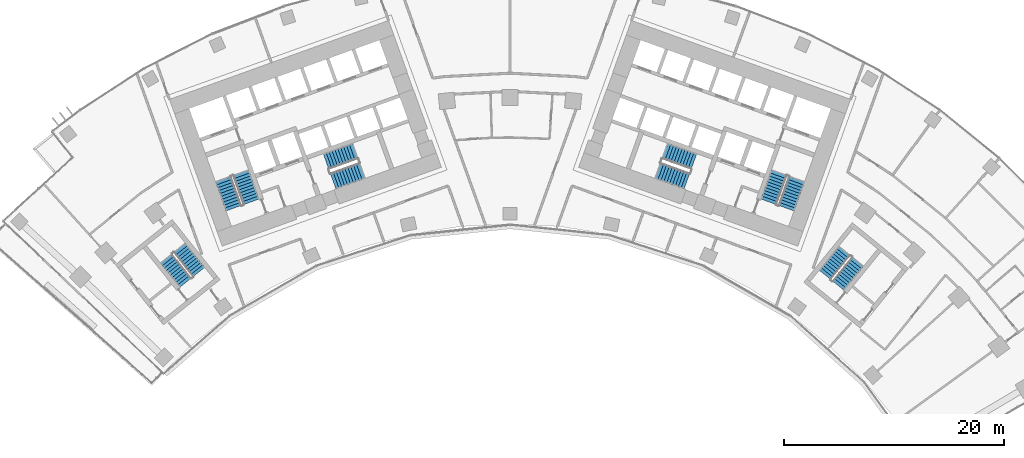
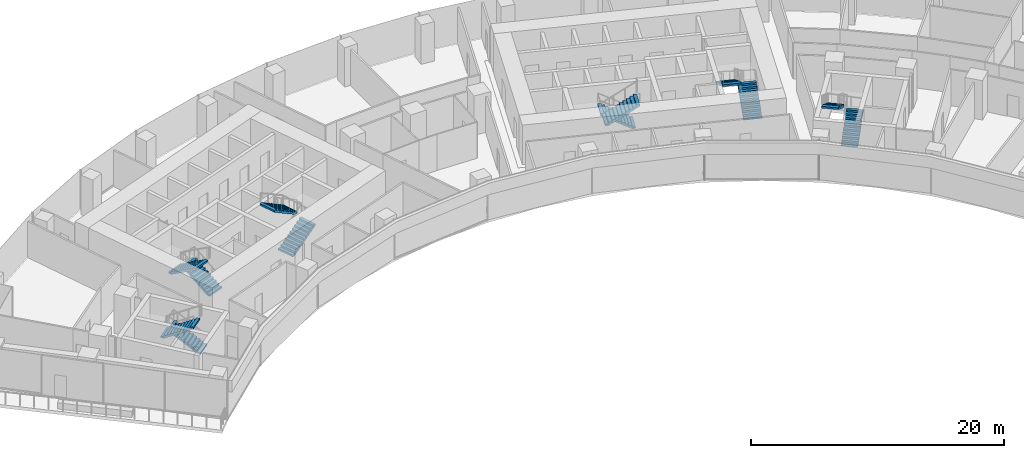
# One storey, part 18 of 20: 12 stair flights, 6 elements without a shape of their own.
"""IFC4 building model written with IfcOpenShell, lengths in metres."""

from ifc_helpers import new_model, si_unit, direction, frame, origin, place, context, subcontext, project, spatial, polyline, outline, extrude, material, type_object, element, aggregate, save


model = new_model("IFC4")

# Units and contexts
model_context = context("Model", 3, precision=1e-05, world=origin(), true_north=direction((0.0, 1.0)))
body_context = subcontext(model_context, "Body", "Model", "MODEL_VIEW")
ifc_project = project(units=[si_unit("LENGTHUNIT", "METRE"), si_unit("AREAUNIT", "SQUARE_METRE"), si_unit("VOLUMEUNIT", "CUBIC_METRE"), si_unit("PLANEANGLEUNIT", "RADIAN"), si_unit("MASSUNIT", "GRAM", prefix="KILO")], contexts=[model_context])

# Site, building, storey
site_placement = place(None, origin())
site = spatial("IfcSite", under=ifc_project, at=site_placement, CompositionType="ELEMENT")
building_placement = place(site_placement, origin())
building = spatial("IfcBuilding", under=site, at=building_placement, Name="Stone Belt Terrace Tower", CompositionType="ELEMENT")
storey_placement = place(building_placement, frame((0.0, 0.0, 125.0)))
storey = spatial("IfcBuildingStorey", under=building, at=storey_placement, Name="L30", CompositionType="ELEMENT", Elevation=125.0)

# Stair, stair flights
ifc_material = material(Name="Concrete B40", Category="concrete")
stair_type = type_object("IfcStairType", Name="Exit stair 1500", PredefinedType="HALF_TURN_STAIR", material=ifc_material)
stair_1_placement = place(storey_placement, origin())
stair_1 = element("IfcStair", 1, at=stair_1_placement, inside=storey, type_object=stair_type, Name="L30 Exit stair 1 core A", PredefinedType="HALF_TURN_STAIR")
stair_flight_type = type_object("IfcStairFlightType", Name="Stair flight 1500", PredefinedType="STRAIGHT", material=ifc_material)
stair_flight_1_placement = place(storey_placement, frame((-23.55322265625, 45.51318359375, 0.0), z_axis=(0.0, 0.0, 1.0), x_axis=(-0.338624396177, 0.940921632398, 0.0)))
stair_flight_1 = element("IfcStairFlight", 2, at=stair_flight_1_placement, type_object=stair_flight_type, Name="ST1A flight 1", NumberOfRisers=11, NumberOfTreads=10, PredefinedType="STRAIGHT", RiserHeight=0.172727273, TreadLength=0.28, context=body_context, shape_type="SweptSolid", body=[
    extrude(outline(polyline([(0.0, 0.0), (0.0, 0.172607421875), (0.280029296875, 0.172607421875), (0.280029296875, 0.345458984375), (0.56005859375, 0.345458984375), (0.56005859375, 0.51806640625), (0.840087890625, 0.51806640625), (0.840087890625, 0.69091796875), (1.1201171875, 0.69091796875), (1.1201171875, 0.863525390625), (1.39990234375, 0.863525390625), (1.39990234375, 1.036376953125), (1.679931640625, 1.036376953125), (1.679931640625, 1.208984375), (1.9599609375, 1.208984375), (1.9599609375, 1.3818359375), (2.239990234375, 1.3818359375), (2.239990234375, 1.554443359375), (2.52001953125, 1.554443359375), (2.52001953125, 1.727294921875), (2.800048828125, 1.727294921875), (2.800048828125, 1.89990234375), (2.800048828125, 1.551025390625), (0.285400390625, 0.0), (0.0, 0.0)])), frame((0.0, 0.75, 0.0), z_axis=(0.0, -1.0, 0.0), x_axis=(1.0, 0.0, 0.0)), (0.0, 0.0, 1.0), 1.5),
])
stair_flight_2_placement = place(storey_placement, frame((-26.10107421875, 47.572021484375, 1.89990234375), z_axis=(0.0, 0.0, 1.0), x_axis=(0.338624396177, -0.940921632398, 0.0)))
stair_flight_2 = element("IfcStairFlight", 3, at=stair_flight_2_placement, type_object=stair_flight_type, Name="ST1A flight 2", NumberOfRisers=11, NumberOfTreads=10, PredefinedType="STRAIGHT", RiserHeight=0.172727273, TreadLength=0.28, context=body_context, shape_type="SweptSolid", body=[
    extrude(outline(polyline([(0.0, 0.0), (0.0, 0.172607421875), (0.280029296875, 0.172607421875), (0.280029296875, 0.345458984375), (0.56005859375, 0.345458984375), (0.56005859375, 0.51806640625), (0.840087890625, 0.51806640625), (0.840087890625, 0.69091796875), (1.1201171875, 0.69091796875), (1.1201171875, 0.863525390625), (1.39990234375, 0.863525390625), (1.39990234375, 1.036376953125), (1.679931640625, 1.036376953125), (1.679931640625, 1.208984375), (1.9599609375, 1.208984375), (1.9599609375, 1.3818359375), (2.239990234375, 1.3818359375), (2.239990234375, 1.554443359375), (2.52001953125, 1.554443359375), (2.52001953125, 1.727294921875), (2.800048828125, 1.727294921875), (2.800048828125, 1.89990234375), (2.800048828125, 1.551025390625), (0.285400390625, 0.0), (0.0, 0.0)])), frame((0.0, 0.75, 0.0), z_axis=(0.0, -1.0, 0.0), x_axis=(1.0, 0.0, 0.0)), (0.0, 0.0, 1.0), 1.5),
])
aggregate(stair_1, [stair_flight_1, stair_flight_2])

stair_2_placement = place(storey_placement, origin())
stair_2 = element("IfcStair", 4, at=stair_2_placement, inside=storey, type_object=stair_type, Name="L30 Exit stair 2 core A", PredefinedType="HALF_TURN_STAIR")
stair_flight_3_placement = place(storey_placement, frame((-16.101318359375, 47.39794921875, 0.0), z_axis=(0.0, 0.0, 1.0), x_axis=(0.940921632398, 0.338624396177, 0.0)))
stair_flight_3 = element("IfcStairFlight", 5, at=stair_flight_3_placement, type_object=stair_flight_type, Name="ST2A flight 1", NumberOfRisers=11, NumberOfTreads=10, PredefinedType="STRAIGHT", RiserHeight=0.172727273, TreadLength=0.28, context=body_context, shape_type="SweptSolid", body=[
    extrude(outline(polyline([(0.0, 0.0), (0.0, 0.172607421875), (0.280029296875, 0.172607421875), (0.280029296875, 0.345458984375), (0.56005859375, 0.345458984375), (0.56005859375, 0.51806640625), (0.840087890625, 0.51806640625), (0.840087890625, 0.69091796875), (1.1201171875, 0.69091796875), (1.1201171875, 0.863525390625), (1.39990234375, 0.863525390625), (1.39990234375, 1.036376953125), (1.679931640625, 1.036376953125), (1.679931640625, 1.208984375), (1.9599609375, 1.208984375), (1.9599609375, 1.3818359375), (2.239990234375, 1.3818359375), (2.239990234375, 1.554443359375), (2.52001953125, 1.554443359375), (2.52001953125, 1.727294921875), (2.800048828125, 1.727294921875), (2.800048828125, 1.89990234375), (2.800048828125, 1.551025390625), (0.285400390625, 0.0), (0.0, 0.0)])), frame((0.0, 0.75, 0.0), z_axis=(0.0, -1.0, 0.0), x_axis=(1.0, 0.0, 0.0)), (0.0, 0.0, 1.0), 1.5),
])
stair_flight_4_placement = place(storey_placement, frame((-14.110107421875, 50.1337890625, 1.89990234375), z_axis=(0.0, 0.0, 1.0), x_axis=(-0.940921632398, -0.338624396177, 0.0)))
stair_flight_4 = element("IfcStairFlight", 6, at=stair_flight_4_placement, type_object=stair_flight_type, Name="ST2A flight 2", NumberOfRisers=11, NumberOfTreads=10, PredefinedType="STRAIGHT", RiserHeight=0.172727273, TreadLength=0.28, context=body_context, shape_type="SweptSolid", body=[
    extrude(outline(polyline([(0.0, 0.0), (0.0, 0.172607421875), (0.280029296875, 0.172607421875), (0.280029296875, 0.345458984375), (0.56005859375, 0.345458984375), (0.56005859375, 0.51806640625), (0.840087890625, 0.51806640625), (0.840087890625, 0.69091796875), (1.1201171875, 0.69091796875), (1.1201171875, 0.863525390625), (1.39990234375, 0.863525390625), (1.39990234375, 1.036376953125), (1.679931640625, 1.036376953125), (1.679931640625, 1.208984375), (1.9599609375, 1.208984375), (1.9599609375, 1.3818359375), (2.239990234375, 1.3818359375), (2.239990234375, 1.554443359375), (2.52001953125, 1.554443359375), (2.52001953125, 1.727294921875), (2.800048828125, 1.727294921875), (2.800048828125, 1.89990234375), (2.800048828125, 1.551025390625), (0.285400390625, 0.0), (0.0, 0.0)])), frame((0.0, 0.75, 0.0), z_axis=(0.0, -1.0, 0.0), x_axis=(1.0, 0.0, 0.0)), (0.0, 0.0, 1.0), 1.5),
])
aggregate(stair_2, [stair_flight_3, stair_flight_4])

stair_3_placement = place(storey_placement, origin())
stair_3 = element("IfcStair", 7, at=stair_3_placement, inside=storey, type_object=stair_type, Name="L30 Exit stair 1 core B", PredefinedType="HALF_TURN_STAIR")
stair_flight_5_placement = place(storey_placement, frame((25.15283203125, 44.9375, 0.0), z_axis=(0.0, 0.0, 1.0), x_axis=(0.338624396177, 0.940921632398, 0.0)))
stair_flight_5 = element("IfcStairFlight", 8, at=stair_flight_5_placement, type_object=stair_flight_type, Name="ST1B flight 1", NumberOfRisers=11, NumberOfTreads=10, PredefinedType="STRAIGHT", RiserHeight=0.172727273, TreadLength=0.28, context=body_context, shape_type="SweptSolid", body=[
    extrude(outline(polyline([(0.0, 0.0), (0.0, 0.172607421875), (0.280029296875, 0.172607421875), (0.280029296875, 0.345458984375), (0.56005859375, 0.345458984375), (0.56005859375, 0.51806640625), (0.840087890625, 0.51806640625), (0.840087890625, 0.69091796875), (1.1201171875, 0.69091796875), (1.1201171875, 0.863525390625), (1.39990234375, 0.863525390625), (1.39990234375, 1.036376953125), (1.679931640625, 1.036376953125), (1.679931640625, 1.208984375), (1.9599609375, 1.208984375), (1.9599609375, 1.3818359375), (2.239990234375, 1.3818359375), (2.239990234375, 1.554443359375), (2.52001953125, 1.554443359375), (2.52001953125, 1.727294921875), (2.800048828125, 1.727294921875), (2.800048828125, 1.89990234375), (2.800048828125, 1.551025390625), (0.285400390625, 0.0), (0.0, 0.0)])), frame((0.0, 0.75, 0.0), z_axis=(0.0, -1.0, 0.0), x_axis=(1.0, 0.0, 0.0)), (0.0, 0.0, 1.0), 1.5),
])
stair_flight_6_placement = place(storey_placement, frame((24.50146484375, 48.147705078125, 1.89990234375), z_axis=(0.0, 0.0, 1.0), x_axis=(-0.338624396177, -0.940921632398, 0.0)))
stair_flight_6 = element("IfcStairFlight", 9, at=stair_flight_6_placement, type_object=stair_flight_type, Name="ST1B flight 2", NumberOfRisers=11, NumberOfTreads=10, PredefinedType="STRAIGHT", RiserHeight=0.172727273, TreadLength=0.28, context=body_context, shape_type="SweptSolid", body=[
    extrude(outline(polyline([(0.0, 0.0), (0.0, 0.172607421875), (0.280029296875, 0.172607421875), (0.280029296875, 0.345458984375), (0.56005859375, 0.345458984375), (0.56005859375, 0.51806640625), (0.840087890625, 0.51806640625), (0.840087890625, 0.69091796875), (1.1201171875, 0.69091796875), (1.1201171875, 0.863525390625), (1.39990234375, 0.863525390625), (1.39990234375, 1.036376953125), (1.679931640625, 1.036376953125), (1.679931640625, 1.208984375), (1.9599609375, 1.208984375), (1.9599609375, 1.3818359375), (2.239990234375, 1.3818359375), (2.239990234375, 1.554443359375), (2.52001953125, 1.554443359375), (2.52001953125, 1.727294921875), (2.800048828125, 1.727294921875), (2.800048828125, 1.89990234375), (2.800048828125, 1.551025390625), (0.285400390625, 0.0), (0.0, 0.0)])), frame((0.0, 0.75, 0.0), z_axis=(0.0, -1.0, 0.0), x_axis=(1.0, 0.0, 0.0)), (0.0, 0.0, 1.0), 1.5),
])
aggregate(stair_3, [stair_flight_5, stair_flight_6])

stair_4_placement = place(storey_placement, origin())
stair_4 = element("IfcStair", 10, at=stair_4_placement, inside=storey, type_object=stair_type, Name="L30 Exit stair 2 core B", PredefinedType="HALF_TURN_STAIR")
stair_flight_7_placement = place(storey_placement, frame((16.74462890625, 49.185546875, 0.0), z_axis=(0.0, 0.0, 1.0), x_axis=(-0.940921632398, 0.338624396177, 0.0)))
stair_flight_7 = element("IfcStairFlight", 11, at=stair_flight_7_placement, type_object=stair_flight_type, Name="ST2B flight 1", NumberOfRisers=11, NumberOfTreads=10, PredefinedType="STRAIGHT", RiserHeight=0.172727273, TreadLength=0.28, context=body_context, shape_type="SweptSolid", body=[
    extrude(outline(polyline([(0.0, 0.0), (0.0, 0.172607421875), (0.280029296875, 0.172607421875), (0.280029296875, 0.345458984375), (0.56005859375, 0.345458984375), (0.56005859375, 0.51806640625), (0.840087890625, 0.51806640625), (0.840087890625, 0.69091796875), (1.1201171875, 0.69091796875), (1.1201171875, 0.863525390625), (1.39990234375, 0.863525390625), (1.39990234375, 1.036376953125), (1.679931640625, 1.036376953125), (1.679931640625, 1.208984375), (1.9599609375, 1.208984375), (1.9599609375, 1.3818359375), (2.239990234375, 1.3818359375), (2.239990234375, 1.554443359375), (2.52001953125, 1.554443359375), (2.52001953125, 1.727294921875), (2.800048828125, 1.727294921875), (2.800048828125, 1.89990234375), (2.800048828125, 1.551025390625), (0.285400390625, 0.0), (0.0, 0.0)])), frame((0.0, 0.75, 0.0), z_axis=(0.0, -1.0, 0.0), x_axis=(1.0, 0.0, 0.0)), (0.0, 0.0, 1.0), 1.5),
])
stair_flight_8_placement = place(storey_placement, frame((13.466796875, 48.345947265625, 1.89990234375), z_axis=(0.0, 0.0, 1.0), x_axis=(0.940921632398, -0.338624396177, 0.0)))
stair_flight_8 = element("IfcStairFlight", 12, at=stair_flight_8_placement, type_object=stair_flight_type, Name="ST2B flight 2", NumberOfRisers=11, NumberOfTreads=10, PredefinedType="STRAIGHT", RiserHeight=0.172727273, TreadLength=0.28, context=body_context, shape_type="SweptSolid", body=[
    extrude(outline(polyline([(0.0, 0.0), (0.0, 0.172607421875), (0.280029296875, 0.172607421875), (0.280029296875, 0.345458984375), (0.56005859375, 0.345458984375), (0.56005859375, 0.51806640625), (0.840087890625, 0.51806640625), (0.840087890625, 0.69091796875), (1.1201171875, 0.69091796875), (1.1201171875, 0.863525390625), (1.39990234375, 0.863525390625), (1.39990234375, 1.036376953125), (1.679931640625, 1.036376953125), (1.679931640625, 1.208984375), (1.9599609375, 1.208984375), (1.9599609375, 1.3818359375), (2.239990234375, 1.3818359375), (2.239990234375, 1.554443359375), (2.52001953125, 1.554443359375), (2.52001953125, 1.727294921875), (2.800048828125, 1.727294921875), (2.800048828125, 1.89990234375), (2.800048828125, 1.551025390625), (0.285400390625, 0.0), (0.0, 0.0)])), frame((0.0, 0.75, 0.0), z_axis=(0.0, -1.0, 0.0), x_axis=(1.0, 0.0, 0.0)), (0.0, 0.0, 1.0), 1.5),
])
aggregate(stair_4, [stair_flight_7, stair_flight_8])

stair_5_placement = place(storey_placement, origin())
stair_5 = element("IfcStair", 13, at=stair_5_placement, inside=storey, type_object=stair_type, Name="L30 Exit stair 3A", PredefinedType="HALF_TURN_STAIR")
stair_flight_9_placement = place(storey_placement, frame((-28.325439453125, 39.1240234375, 0.0), z_axis=(0.0, 0.0, 1.0), x_axis=(-0.623121363691, 0.782125160132, 0.0)))
stair_flight_9 = element("IfcStairFlight", 14, at=stair_flight_9_placement, type_object=stair_flight_type, Name="ST3A flight 1", NumberOfRisers=11, NumberOfTreads=10, PredefinedType="STRAIGHT", RiserHeight=0.172727273, TreadLength=0.28, context=body_context, shape_type="SweptSolid", body=[
    extrude(outline(polyline([(0.0, 0.0), (0.0, 0.172607421875), (0.280029296875, 0.172607421875), (0.280029296875, 0.345458984375), (0.56005859375, 0.345458984375), (0.56005859375, 0.51806640625), (0.840087890625, 0.51806640625), (0.840087890625, 0.69091796875), (1.1201171875, 0.69091796875), (1.1201171875, 0.863525390625), (1.39990234375, 0.863525390625), (1.39990234375, 1.036376953125), (1.679931640625, 1.036376953125), (1.679931640625, 1.208984375), (1.9599609375, 1.208984375), (1.9599609375, 1.3818359375), (2.239990234375, 1.3818359375), (2.239990234375, 1.554443359375), (2.52001953125, 1.554443359375), (2.52001953125, 1.727294921875), (2.800048828125, 1.727294921875), (2.800048828125, 1.89990234375), (2.800048828125, 1.551025390625), (0.285400390625, 0.0), (0.0, 0.0)])), frame((0.0, 0.675048828125, 0.0), z_axis=(0.0, -1.0, 0.0), x_axis=(1.0, 0.0, 0.0)), (0.0, 0.0, 1.0), 1.35009765625),
])
stair_flight_10_placement = place(storey_placement, frame((-31.282470703125, 40.34814453125, 1.89990234375), z_axis=(0.0, 0.0, 1.0), x_axis=(0.623121363691, -0.782125160132, 0.0)))
stair_flight_10 = element("IfcStairFlight", 15, at=stair_flight_10_placement, type_object=stair_flight_type, Name="ST3A flight 2", NumberOfRisers=11, NumberOfTreads=10, PredefinedType="STRAIGHT", RiserHeight=0.172727273, TreadLength=0.28, context=body_context, shape_type="SweptSolid", body=[
    extrude(outline(polyline([(0.0, 0.0), (0.0, 0.172607421875), (0.280029296875, 0.172607421875), (0.280029296875, 0.345458984375), (0.56005859375, 0.345458984375), (0.56005859375, 0.51806640625), (0.840087890625, 0.51806640625), (0.840087890625, 0.69091796875), (1.1201171875, 0.69091796875), (1.1201171875, 0.863525390625), (1.39990234375, 0.863525390625), (1.39990234375, 1.036376953125), (1.679931640625, 1.036376953125), (1.679931640625, 1.208984375), (1.9599609375, 1.208984375), (1.9599609375, 1.3818359375), (2.239990234375, 1.3818359375), (2.239990234375, 1.554443359375), (2.52001953125, 1.554443359375), (2.52001953125, 1.727294921875), (2.800048828125, 1.727294921875), (2.800048828125, 1.89990234375), (2.800048828125, 1.551025390625), (0.285400390625, 0.0), (0.0, 0.0)])), frame((0.0, 0.675048828125, 0.0), z_axis=(0.0, -1.0, 0.0), x_axis=(1.0, 0.0, 0.0)), (0.0, 0.0, 1.0), 1.35009765625),
])
aggregate(stair_5, [stair_flight_9, stair_flight_10])

stair_6_placement = place(storey_placement, origin())
stair_6 = element("IfcStair", 16, at=stair_6_placement, inside=storey, type_object=stair_type, Name="L30 Exit stair 3B", PredefinedType="HALF_TURN_STAIR")
stair_flight_11_placement = place(storey_placement, frame((29.88330078125, 37.887939453125, 0.0), z_axis=(0.0, 0.0, 1.0), x_axis=(0.630205749599, 0.776428176441, 0.0)))
stair_flight_11 = element("IfcStairFlight", 17, at=stair_flight_11_placement, type_object=stair_flight_type, Name="ST3B flight 1", NumberOfRisers=11, NumberOfTreads=10, PredefinedType="STRAIGHT", RiserHeight=0.172727273, TreadLength=0.28, context=body_context, shape_type="SweptSolid", body=[
    extrude(outline(polyline([(0.0, 0.0), (0.0, 0.172607421875), (0.280029296875, 0.172607421875), (0.280029296875, 0.345458984375), (0.56005859375, 0.345458984375), (0.56005859375, 0.51806640625), (0.840087890625, 0.51806640625), (0.840087890625, 0.69091796875), (1.1201171875, 0.69091796875), (1.1201171875, 0.863525390625), (1.39990234375, 0.863525390625), (1.39990234375, 1.036376953125), (1.679931640625, 1.036376953125), (1.679931640625, 1.208984375), (1.9599609375, 1.208984375), (1.9599609375, 1.3818359375), (2.239990234375, 1.3818359375), (2.239990234375, 1.554443359375), (2.52001953125, 1.554443359375), (2.52001953125, 1.727294921875), (2.800048828125, 1.727294921875), (2.800048828125, 1.89990234375), (2.800048828125, 1.551025390625), (0.285400390625, 0.0), (0.0, 0.0)])), frame((0.0, 0.675048828125, 0.0), z_axis=(0.0, -1.0, 0.0), x_axis=(1.0, 0.0, 0.0)), (0.0, 0.0, 1.0), 1.35009765625),
])
stair_flight_12_placement = place(storey_placement, frame((30.4443359375, 41.038818359375, 1.89990234375), z_axis=(0.0, 0.0, 1.0), x_axis=(-0.630205749599, -0.776428176441, 0.0)))
stair_flight_12 = element("IfcStairFlight", 18, at=stair_flight_12_placement, type_object=stair_flight_type, Name="ST3B flight 2", NumberOfRisers=11, NumberOfTreads=10, PredefinedType="STRAIGHT", RiserHeight=0.172727273, TreadLength=0.28, context=body_context, shape_type="SweptSolid", body=[
    extrude(outline(polyline([(0.0, 0.0), (0.0, 0.172607421875), (0.280029296875, 0.172607421875), (0.280029296875, 0.345458984375), (0.56005859375, 0.345458984375), (0.56005859375, 0.51806640625), (0.840087890625, 0.51806640625), (0.840087890625, 0.69091796875), (1.1201171875, 0.69091796875), (1.1201171875, 0.863525390625), (1.39990234375, 0.863525390625), (1.39990234375, 1.036376953125), (1.679931640625, 1.036376953125), (1.679931640625, 1.208984375), (1.9599609375, 1.208984375), (1.9599609375, 1.3818359375), (2.239990234375, 1.3818359375), (2.239990234375, 1.554443359375), (2.52001953125, 1.554443359375), (2.52001953125, 1.727294921875), (2.800048828125, 1.727294921875), (2.800048828125, 1.89990234375), (2.800048828125, 1.551025390625), (0.285400390625, 0.0), (0.0, 0.0)])), frame((0.0, 0.675048828125, 0.0), z_axis=(0.0, -1.0, 0.0), x_axis=(1.0, 0.0, 0.0)), (0.0, 0.0, 1.0), 1.35009765625),
])
aggregate(stair_6, [stair_flight_11, stair_flight_12])

save(model, "model.ifc")
